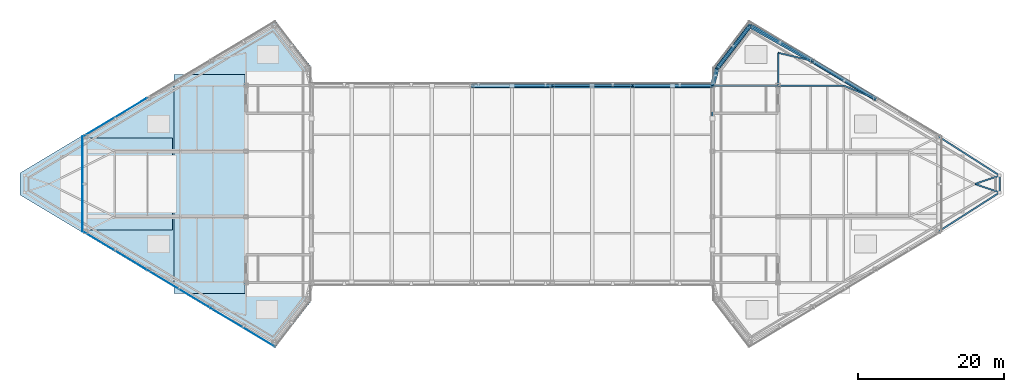
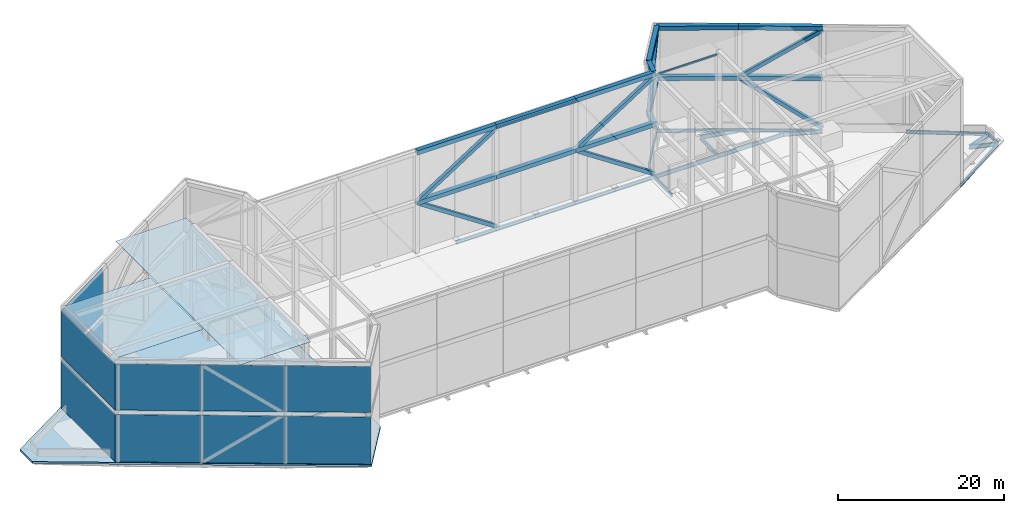
# One storey, part 6 of 16: 34 beams, 12 plates, 10 members, 1 slab.
"""IFC4 building model written with IfcOpenShell, lengths in metres."""

from ifc_helpers import new_model, si_unit, direction, frame, origin, origin_2d, place, context, subcontext, project, spatial, polyline, rectangle, hollow_rectangle, i_section, outline, extrude, source, transform, mapped, material, layer, layer_set, material_profile, profile_set, type_object, type_shapes, element, save


model = new_model("IFC4")

# Units and contexts
model_context = context("Model", 3, precision=1e-05, world=origin(), true_north=direction((0.0, 1.0)))
body_context = subcontext(model_context, "Body", "Model", "MODEL_VIEW")
ifc_project = project(units=[si_unit("LENGTHUNIT", "METRE"), si_unit("AREAUNIT", "SQUARE_METRE"), si_unit("VOLUMEUNIT", "CUBIC_METRE"), si_unit("PLANEANGLEUNIT", "RADIAN"), si_unit("MASSUNIT", "GRAM", prefix="KILO")], contexts=[model_context])

# Site, building, storey
site_placement = place(None, origin())
site = spatial("IfcSite", under=ifc_project, at=site_placement, CompositionType="ELEMENT")
building_placement = place(site_placement, origin())
building = spatial("IfcBuilding", under=site, at=building_placement, Name="Seokmaru Belvedere", CompositionType="ELEMENT")
storey_placement = place(building_placement, frame((0.0, 0.0, 279.0)))
storey = spatial("IfcBuildingStorey", under=building, at=storey_placement, Name="RF", CompositionType="ELEMENT", Elevation=279.0)

# Beams
ifc_material_1 = material(Name="Steel SM355 (355 MPa)", Category="steel")
ifc_material_profile_1 = material_profile(ifc_material_1, i_section(OverallWidth=0.199951171875, OverallDepth=0.5, WebThickness=0.010009765625, FlangeThickness=0.01611328125, at=origin_2d()), Name="H-500x200x10x16")
ifc_profile_set_1 = profile_set([ifc_material_profile_1], Name="Steel SM355 (355 MPa)")
beam_type_1 = type_object("IfcBeamType", Name="Perimeter Spandrel Beam H-500", PredefinedType="SPANDREL", material=ifc_profile_set_1)
shared_shape_1 = source(origin(), body_context, "Body", "SweptSolid", [
    extrude(i_section(OverallWidth=0.199951171875, OverallDepth=0.5, WebThickness=0.010009765625, FlangeThickness=0.01611328125, at=origin_2d()), origin(), (0.0, 0.0, 1.0), 4.5),
])
beam_1_placement = place(storey_placement, frame((27.5, 9.0, -0.530029296875), z_axis=(0.0, 1.0, 0.0), x_axis=(-1.0, 0.0, 0.0)))
element("IfcBeam", 1, at=beam_1_placement, inside=storey, type_object=beam_type_1, Name="RF E Portal Spine Spandrel 5", PredefinedType="SPANDREL", context=body_context, shape_type="MappedRepresentation", body=[
    mapped(shared_shape_1, transform((0.0, 0.0, 0.0), scale=1.0)),
])
ifc_material_profile_2 = material_profile(ifc_material_1, i_section(OverallWidth=0.199951171875, OverallDepth=0.60009765625, WebThickness=0.010986328125, FlangeThickness=0.01708984375, at=origin_2d()), Name="H-600x200x11x17")
ifc_profile_set_2 = profile_set([ifc_material_profile_2], Name="Steel SM355 (355 MPa)")
beam_type_2 = type_object("IfcBeamType", Name="Primary Floor Girder H-600", PredefinedType="BEAM", material=ifc_profile_set_2)
shared_shape_2 = source(origin(), body_context, "Body", "SweptSolid", [
    extrude(i_section(OverallWidth=0.199951171875, OverallDepth=0.60009765625, WebThickness=0.010986328125, FlangeThickness=0.01708984375, at=origin_2d()), origin(), (0.0, 0.0, 1.0), 9.0),
])
for number, where, z_axis, x_axis, name in (
    (2, (27.5, 13.5, -0.580078125), (1.0, 0.0, 0.0), (0.0, 1.0, 0.0), "RF E Core Tie Girder 4"),
    (3, (36.5, 13.5, -0.580078125), (1.0, 0.0, 0.0), (0.0, 1.0, 0.0), "RF E Wing Primary Girder 4"),
):
    element("IfcBeam", number, at=place(storey_placement, frame(where, z_axis=z_axis, x_axis=x_axis)), inside=storey, type_object=beam_type_2, Name=name, PredefinedType="BEAM", context=body_context, shape_type="MappedRepresentation", body=[
        mapped(shared_shape_2, transform((0.0, 0.0, 0.0), scale=1.0)),
    ])
shared_shape_3 = source(origin(), body_context, "Body", "SweptSolid", [
    extrude(i_section(OverallWidth=0.199951171875, OverallDepth=0.60009765625, WebThickness=0.010986328125, FlangeThickness=0.01708984375, at=origin_2d()), origin(), (0.0, 0.0, 1.0), 4.5),
])
beam_2_placement = place(storey_placement, frame((36.5, 13.5, -0.580078125), z_axis=(0.0, 1.0, 0.0), x_axis=(-1.0, 0.0, 0.0)))
element("IfcBeam", 4, at=beam_2_placement, inside=storey, type_object=beam_type_2, Name="RF E Core Shoulder Girder N", PredefinedType="BEAM", context=body_context, shape_type="MappedRepresentation", body=[
    mapped(shared_shape_3, transform((0.0, 0.0, 0.0), scale=1.0)),
])
shared_shape_4 = source(origin(), body_context, "Body", "SweptSolid", [
    extrude(i_section(OverallWidth=0.199951171875, OverallDepth=0.5, WebThickness=0.010009765625, FlangeThickness=0.01611328125, at=origin_2d()), origin(), (0.0, 0.0, 1.0), 9.842041015625),
])
beam_3_placement = place(storey_placement, frame((32.649658203125, 21.71044921875, -0.530029296875), z_axis=(0.871782151818, -0.489893743349, 0.0), x_axis=(0.489893743349, 0.871782151818, 0.0)))
element("IfcBeam", 5, at=beam_3_placement, inside=storey, type_object=beam_type_1, Name="RF E Faceted Flank Spandrel N-1", PredefinedType="SPANDREL", context=body_context, shape_type="MappedRepresentation", body=[
    mapped(shared_shape_4, transform((0.0, 0.0, 0.0), scale=1.0)),
])
shared_shape_5 = source(origin(), body_context, "Body", "SweptSolid", [
    extrude(i_section(OverallWidth=0.199951171875, OverallDepth=0.5, WebThickness=0.010009765625, FlangeThickness=0.01611328125, at=origin_2d()), origin(), (0.0, 0.0, 1.0), 10.087646484375),
])
beam_4_placement = place(storey_placement, frame((41.229736328125, 16.888916015625, -0.530029296875), z_axis=(0.857499332045, -0.514485078056, 0.0), x_axis=(0.514485078056, 0.857499332045, 0.0)))
element("IfcBeam", 6, at=beam_4_placement, inside=storey, type_object=beam_type_1, Name="RF E Faceted Flank Spandrel N-2", PredefinedType="SPANDREL", context=body_context, shape_type="MappedRepresentation", body=[
    mapped(shared_shape_5, transform((0.0, 0.0, 0.0), scale=1.0)),
])
shared_shape_6 = source(origin(), body_context, "Body", "SweptSolid", [
    extrude(i_section(OverallWidth=0.199951171875, OverallDepth=0.5, WebThickness=0.010009765625, FlangeThickness=0.01611328125, at=origin_2d()), origin(), (0.0, 0.0, 1.0), 9.932861328125),
])
for number, where, z_axis, x_axis, name in (
    (7, (58.530029296875, -6.5087890625, -0.530029296875), (0.842651960357, 0.538458609093, 0.0), (-0.538458609093, 0.842651960357, 0.0), "RF E Faceted Flank Spandrel S-4"),
    (8, (58.530029296875, 6.5087890625, -0.530029296875), (0.842651960357, -0.538458609093, 0.0), (0.538458609093, 0.842651960357, 0.0), "RF E Faceted Flank Spandrel N-4"),
):
    element("IfcBeam", number, at=place(storey_placement, frame(where, z_axis=z_axis, x_axis=x_axis)), inside=storey, type_object=beam_type_1, Name=name, PredefinedType="SPANDREL", context=body_context, shape_type="MappedRepresentation", body=[
        mapped(shared_shape_6, transform((0.0, 0.0, 0.0), scale=1.0)),
    ])
shared_shape_7 = source(origin(), body_context, "Body", "SweptSolid", [
    extrude(i_section(OverallWidth=0.199951171875, OverallDepth=0.5, WebThickness=0.010009765625, FlangeThickness=0.01611328125, at=origin_2d()), origin(), (0.0, 0.0, 1.0), 2.32080078125),
])
beam_5_placement = place(storey_placement, frame((66.89990234375, -1.160400390625, -0.530029296875), z_axis=(0.0, 1.0, 0.0), x_axis=(-1.0, 0.0, 0.0)))
element("IfcBeam", 9, at=beam_5_placement, inside=storey, type_object=beam_type_1, Name="RF E Faceted Apex Spandrel", PredefinedType="SPANDREL", context=body_context, shape_type="MappedRepresentation", body=[
    mapped(shared_shape_7, transform((0.0, 0.0, 0.0), scale=1.0)),
])
shared_shape_8 = source(origin(), body_context, "Body", "SweptSolid", [
    extrude(i_section(OverallWidth=0.199951171875, OverallDepth=0.5, WebThickness=0.010009765625, FlangeThickness=0.01611328125, at=origin_2d()), origin(), (0.0, 0.0, 1.0), 7.4619140625),
])
beam_6_placement = place(storey_placement, frame((32.649658203125, 21.71044921875, -0.530029296875), z_axis=(-0.609702854945, -0.792630070507, 0.0), x_axis=(0.792630070507, -0.609702854945, 0.0)))
element("IfcBeam", 10, at=beam_6_placement, inside=storey, type_object=beam_type_1, Name="RF E Shoulder Chamfer Spandrel N", PredefinedType="SPANDREL", context=body_context, shape_type="MappedRepresentation", body=[
    mapped(shared_shape_8, transform((0.0, 0.0, 0.0), scale=1.0)),
])
shared_shape_9 = source(origin(), body_context, "Body", "SweptSolid", [
    extrude(i_section(OverallWidth=0.199951171875, OverallDepth=0.5, WebThickness=0.010009765625, FlangeThickness=0.01611328125, at=origin_2d()), origin(), (0.0, 0.0, 1.0), 2.373046875),
])
type_shapes(beam_type_1, [shared_shape_1, shared_shape_4, shared_shape_5, shared_shape_6, shared_shape_7, shared_shape_8, shared_shape_9])
beam_7_placement = place(storey_placement, frame((28.10009765625, 15.7958984375, -0.530029296875), z_axis=(-0.252882558842, -0.967496982648, 0.0), x_axis=(0.967496982648, -0.252882558842, 0.0)))
element("IfcBeam", 11, at=beam_7_placement, inside=storey, type_object=beam_type_1, Name="RF E Shoulder Spine Spandrel N", PredefinedType="SPANDREL", context=body_context, shape_type="MappedRepresentation", body=[
    mapped(shared_shape_9, transform((0.0, 0.0, 0.0), scale=1.0)),
])
shared_shape_10 = source(origin(), body_context, "Body", "SweptSolid", [
    extrude(i_section(OverallWidth=0.199951171875, OverallDepth=0.60009765625, WebThickness=0.010986328125, FlangeThickness=0.01708984375, at=origin_2d()), origin(), (0.0, 0.0, 1.0), 4.8583984375),
])
beam_8_placement = place(storey_placement, frame((41.229736328125, 16.888916015625, -0.580078125), z_axis=(-0.97349948295, 0.228689214211, 0.0), x_axis=(-0.228689214211, -0.97349948295, 0.0)))
element("IfcBeam", 12, at=beam_8_placement, inside=storey, type_object=beam_type_2, Name="RF E Flank Radial Floor Girder N-1", PredefinedType="BEAM", context=body_context, shape_type="MappedRepresentation", body=[
    mapped(shared_shape_10, transform((0.0, 0.0, 0.0), scale=1.0)),
])
shared_shape_11 = source(origin(), body_context, "Body", "SweptSolid", [
    extrude(i_section(OverallWidth=0.199951171875, OverallDepth=0.60009765625, WebThickness=0.010986328125, FlangeThickness=0.01708984375, at=origin_2d()), origin(), (0.0, 0.0, 1.0), 4.73583984375),
])
beam_9_placement = place(storey_placement, frame((49.8798828125, 11.698974609375, -0.580078125), z_axis=(-0.924860562953, 0.380306375301, 0.0), x_axis=(-0.380306375301, -0.924860562953, 0.0)))
element("IfcBeam", 13, at=beam_9_placement, inside=storey, type_object=beam_type_2, Name="RF E Flank Radial Floor Girder N-2", PredefinedType="BEAM", context=body_context, shape_type="MappedRepresentation", body=[
    mapped(shared_shape_11, transform((0.0, 0.0, 0.0), scale=1.0)),
])
shared_shape_12 = source(origin(), body_context, "Body", "SweptSolid", [
    extrude(i_section(OverallWidth=0.199951171875, OverallDepth=0.60009765625, WebThickness=0.010986328125, FlangeThickness=0.01708984375, at=origin_2d()), origin(), (0.0, 0.0, 1.0), 3.592529296875),
])
type_shapes(beam_type_2, [shared_shape_2, shared_shape_3, shared_shape_10, shared_shape_11, shared_shape_12])
for number, where, z_axis, x_axis, name in (
    (14, (66.89990234375, -1.160400390625, -0.580078125), (-0.946395973048, 0.323008764893, 0.0), (-0.323008764893, -0.946395973048, 0.0), "RF E Apex Radial Floor Girder 1"),
    (15, (66.89990234375, 1.160400390625, -0.580078125), (-0.946395973048, -0.323008764893, 0.0), (0.323008764893, -0.946395973048, 0.0), "RF E Apex Radial Floor Girder 2"),
):
    element("IfcBeam", number, at=place(storey_placement, frame(where, z_axis=z_axis, x_axis=x_axis)), inside=storey, type_object=beam_type_2, Name=name, PredefinedType="BEAM", context=body_context, shape_type="MappedRepresentation", body=[
        mapped(shared_shape_12, transform((0.0, 0.0, 0.0), scale=1.0)),
    ])
ifc_material_profile_3 = material_profile(ifc_material_1, hollow_rectangle(XDim=0.25, YDim=0.5, WallThickness=0.013916015625, at=origin_2d()), Name="RHS-500x250x14")
ifc_profile_set_3 = profile_set([ifc_material_profile_3], Name="Steel SM355 (355 MPa)")
beam_type_3 = type_object("IfcBeamType", Name="Bridge Edge Spandrel RHS-500", PredefinedType="SPANDREL", material=ifc_profile_set_3)
shared_shape_13 = source(origin(), body_context, "Body", "SweptSolid", [
    extrude(hollow_rectangle(XDim=0.25, YDim=0.5, WallThickness=0.013916015625, at=origin_2d()), origin(), (0.0, 0.0, 1.0), 5.5),
])
type_shapes(beam_type_3, [shared_shape_13])
for number, where, z_axis, x_axis, name in (
    (16, (0.0, 13.5, -0.530029296875), (1.0, 0.0, 0.0), (0.0, 1.0, 0.0), "RF Sky-Gate Bridge Edge Girder N-06"),
    (17, (5.5, 13.5, -0.530029296875), (1.0, 0.0, 0.0), (0.0, 1.0, 0.0), "RF Sky-Gate Bridge Edge Girder N-07"),
    (18, (11.0, 13.5, -0.530029296875), (1.0, 0.0, 0.0), (0.0, 1.0, 0.0), "RF Sky-Gate Bridge Edge Girder N-08"),
    (19, (16.5, 13.5, -0.530029296875), (1.0, 0.0, 0.0), (0.0, 1.0, 0.0), "RF Sky-Gate Bridge Edge Girder N-09"),
    (20, (22.0, 13.5, -0.530029296875), (1.0, 0.0, 0.0), (0.0, 1.0, 0.0), "RF Sky-Gate Bridge Edge Girder N-10"),
):
    element("IfcBeam", number, at=place(storey_placement, frame(where, z_axis=z_axis, x_axis=x_axis)), inside=storey, type_object=beam_type_3, Name=name, PredefinedType="SPANDREL", context=body_context, shape_type="MappedRepresentation", body=[
        mapped(shared_shape_13, transform((0.0, 0.0, 0.0), scale=1.0)),
    ])
ifc_material_profile_4 = material_profile(ifc_material_1, hollow_rectangle(XDim=0.60009765625, YDim=0.60009765625, WallThickness=0.02490234375, at=origin_2d()), Name="HSS-600x600x25")
ifc_profile_set_4 = profile_set([ifc_material_profile_4], Name="Steel SM355 (355 MPa)")
beam_type_4 = type_object("IfcBeamType", Name="Crown Structural Ring Beam CROWN FRAME 600x600", PredefinedType="USERDEFINED", material=ifc_profile_set_4)
shared_shape_14 = source(origin(), body_context, "Body", "SweptSolid", [
    extrude(hollow_rectangle(XDim=0.60009765625, YDim=0.60009765625, WallThickness=0.02490234375, at=origin_2d()), origin(), (0.0, 0.0, 1.0), 11.0),
])
for number, where, z_axis, x_axis, name in (
    (21, (27.5, 13.5, 7.300048828125), (-1.0, 0.0, 0.0), (0.0, -1.0, 0.0), "RF Crown Chamfered Ring Beam CROWN FRAME T1-17"),
    (22, (16.5, 13.5, 7.300048828125), (-1.0, 0.0, 0.0), (0.0, -1.0, 0.0), "RF Crown Chamfered Ring Beam CROWN FRAME T1-18"),
    (23, (5.5, 13.5, 7.300048828125), (-1.0, 0.0, 0.0), (0.0, -1.0, 0.0), "RF Crown Chamfered Ring Beam CROWN FRAME T1-19"),
    (24, (27.5, 13.5, 14.699951171875), (-1.0, 0.0, 0.0), (0.0, -1.0, 0.0), "RF Crown Chamfered Ring Beam CROWN FRAME T2-17"),
    (25, (16.5, 13.5, 14.699951171875), (-1.0, 0.0, 0.0), (0.0, -1.0, 0.0), "RF Crown Chamfered Ring Beam CROWN FRAME T2-18"),
    (26, (5.5, 13.5, 14.699951171875), (-1.0, 0.0, 0.0), (0.0, -1.0, 0.0), "RF Crown Chamfered Ring Beam CROWN FRAME T2-19"),
):
    element("IfcBeam", number, at=place(storey_placement, frame(where, z_axis=z_axis, x_axis=x_axis)), inside=storey, type_object=beam_type_4, Name=name, ObjectType="CROWN FRAME", PredefinedType="USERDEFINED", context=body_context, shape_type="MappedRepresentation", body=[
        mapped(shared_shape_14, transform((0.0, 0.0, 0.0), scale=1.0)),
    ])
shared_shape_15 = source(origin(), body_context, "Body", "SweptSolid", [
    extrude(hollow_rectangle(XDim=0.60009765625, YDim=0.60009765625, WallThickness=0.02490234375, at=origin_2d()), origin(), (0.0, 0.0, 1.0), 2.373046875),
])
for number, where, z_axis, x_axis, name in (
    (27, (28.10009765625, 15.7958984375, 7.300048828125), (-0.252882558842, -0.967496982648, 0.0), (0.967496982648, -0.252882558842, 0.0), "RF Crown Chamfered Ring Beam CROWN FRAME T1-16"),
    (28, (28.10009765625, 15.7958984375, 14.699951171875), (-0.252882558842, -0.967496982648, 0.0), (0.967496982648, -0.252882558842, 0.0), "RF Crown Chamfered Ring Beam CROWN FRAME T2-16"),
):
    element("IfcBeam", number, at=place(storey_placement, frame(where, z_axis=z_axis, x_axis=x_axis)), inside=storey, type_object=beam_type_4, Name=name, ObjectType="CROWN FRAME", PredefinedType="USERDEFINED", context=body_context, shape_type="MappedRepresentation", body=[
        mapped(shared_shape_15, transform((0.0, 0.0, 0.0), scale=1.0)),
    ])
shared_shape_16 = source(origin(), body_context, "Body", "SweptSolid", [
    extrude(hollow_rectangle(XDim=0.60009765625, YDim=0.60009765625, WallThickness=0.02490234375, at=origin_2d()), origin(), (0.0, 0.0, 1.0), 7.4619140625),
])
for number, where, z_axis, x_axis, name in (
    (29, (32.649658203125, 21.71044921875, 7.300048828125), (-0.609702854945, -0.792630070507, 0.0), (0.792630070507, -0.609702854945, 0.0), "RF Crown Chamfered Ring Beam CROWN FRAME T1-15"),
    (30, (32.649658203125, 21.71044921875, 14.699951171875), (-0.609702854945, -0.792630070507, 0.0), (0.792630070507, -0.609702854945, 0.0), "RF Crown Chamfered Ring Beam CROWN FRAME T2-15"),
):
    element("IfcBeam", number, at=place(storey_placement, frame(where, z_axis=z_axis, x_axis=x_axis)), inside=storey, type_object=beam_type_4, Name=name, ObjectType="CROWN FRAME", PredefinedType="USERDEFINED", context=body_context, shape_type="MappedRepresentation", body=[
        mapped(shared_shape_16, transform((0.0, 0.0, 0.0), scale=1.0)),
    ])
shared_shape_17 = source(origin(), body_context, "Body", "SweptSolid", [
    extrude(hollow_rectangle(XDim=0.60009765625, YDim=0.60009765625, WallThickness=0.02490234375, at=origin_2d()), origin(), (0.0, 0.0, 1.0), 9.842041015625),
])
for number, where, z_axis, x_axis, name in (
    (31, (41.229736328125, 16.888916015625, 7.300048828125), (-0.871782151818, 0.489893743349, 0.0), (-0.489893743349, -0.871782151818, 0.0), "RF Crown Chamfered Ring Beam CROWN FRAME T1-14"),
    (32, (41.229736328125, 16.888916015625, 14.699951171875), (-0.871782151818, 0.489893743349, 0.0), (-0.489893743349, -0.871782151818, 0.0), "RF Crown Chamfered Ring Beam CROWN FRAME T2-14"),
):
    element("IfcBeam", number, at=place(storey_placement, frame(where, z_axis=z_axis, x_axis=x_axis)), inside=storey, type_object=beam_type_4, Name=name, ObjectType="CROWN FRAME", PredefinedType="USERDEFINED", context=body_context, shape_type="MappedRepresentation", body=[
        mapped(shared_shape_17, transform((0.0, 0.0, 0.0), scale=1.0)),
    ])
shared_shape_18 = source(origin(), body_context, "Body", "SweptSolid", [
    extrude(hollow_rectangle(XDim=0.60009765625, YDim=0.60009765625, WallThickness=0.02490234375, at=origin_2d()), origin(), (0.0, 0.0, 1.0), 10.087646484375),
])
type_shapes(beam_type_4, [shared_shape_14, shared_shape_15, shared_shape_16, shared_shape_17, shared_shape_18])
for number, where, z_axis, x_axis, name in (
    (33, (49.8798828125, 11.698974609375, 7.300048828125), (-0.857499332045, 0.514485078056, 0.0), (-0.514485078056, -0.857499332045, 0.0), "RF Crown Chamfered Ring Beam CROWN FRAME T1-13"),
    (34, (49.8798828125, 11.698974609375, 14.699951171875), (-0.857499332045, 0.514485078056, 0.0), (-0.514485078056, -0.857499332045, 0.0), "RF Crown Chamfered Ring Beam CROWN FRAME T2-13"),
):
    element("IfcBeam", number, at=place(storey_placement, frame(where, z_axis=z_axis, x_axis=x_axis)), inside=storey, type_object=beam_type_4, Name=name, ObjectType="CROWN FRAME", PredefinedType="USERDEFINED", context=body_context, shape_type="MappedRepresentation", body=[
        mapped(shared_shape_18, transform((0.0, 0.0, 0.0), scale=1.0)),
    ])

# Members
ifc_material_profile_5 = material_profile(ifc_material_1, hollow_rectangle(XDim=0.5, YDim=0.5, WallThickness=0.02001953125, at=origin_2d()), Name="HSS-500x500x20")
ifc_profile_set_5 = profile_set([ifc_material_profile_5], Name="Steel SM355 (355 MPa)")
member_type_1 = type_object("IfcMemberType", Name="Crown Diagonal Wind Brace CROWN FRAME 500x500", PredefinedType="USERDEFINED", material=ifc_profile_set_5)
shared_shape_19 = source(origin(), body_context, "Body", "SweptSolid", [
    extrude(hollow_rectangle(XDim=0.5, YDim=0.5, WallThickness=0.02001953125, at=origin_2d()), origin(), (0.0, 0.0, 1.0), 13.201904296875),
])
for number, where, z_axis, x_axis, name in (
    (35, (27.5, 13.5, 0.0), (-0.83321208815, 0.0, 0.55295353888), (0.0, -1.0, 0.0), "RF Crown Diagonal Wind Brace CROWN FRAME L-09"),
    (36, (5.5, 13.5, 0.0), (-0.83321208815, 0.0, 0.55295353888), (0.0, -1.0, 0.0), "RF Crown Diagonal Wind Brace CROWN FRAME L-10"),
):
    element("IfcMember", number, at=place(storey_placement, frame(where, z_axis=z_axis, x_axis=x_axis)), inside=storey, type_object=member_type_1, Name=name, ObjectType="CROWN FRAME", PredefinedType="USERDEFINED", context=body_context, shape_type="MappedRepresentation", body=[
        mapped(shared_shape_19, transform((0.0, 0.0, 0.0), scale=1.0)),
    ])
shared_shape_20 = source(origin(), body_context, "Body", "SweptSolid", [
    extrude(hollow_rectangle(XDim=0.5, YDim=0.5, WallThickness=0.02001953125, at=origin_2d()), origin(), (0.0, 0.0, 1.0), 13.0654296875),
])
for number, where, z_axis, x_axis, name in (
    (37, (16.5, 13.5, 7.300048828125), (0.841922020352, 0.0, 0.539599213905), (0.0, 1.0, 0.0), "RF Crown Diagonal Wind Brace CROWN FRAME U-09"),
    (38, (-5.5, 13.5, 7.300048828125), (0.841922020352, 0.0, 0.539599213905), (0.0, 1.0, 0.0), "RF Crown Diagonal Wind Brace CROWN FRAME U-10"),
):
    element("IfcMember", number, at=place(storey_placement, frame(where, z_axis=z_axis, x_axis=x_axis)), inside=storey, type_object=member_type_1, Name=name, ObjectType="CROWN FRAME", PredefinedType="USERDEFINED", context=body_context, shape_type="MappedRepresentation", body=[
        mapped(shared_shape_20, transform((0.0, 0.0, 0.0), scale=1.0)),
    ])
shared_shape_21 = source(origin(), body_context, "Body", "SweptSolid", [
    extrude(hollow_rectangle(XDim=0.5, YDim=0.5, WallThickness=0.02001953125, at=origin_2d()), origin(), (0.0, 0.0, 1.0), 10.43896484375),
])
member_1_placement = place(storey_placement, frame((32.649658203125, 21.71044921875, 0.0), z_axis=(-0.435826598643, -0.566586272, 0.699310497774), x_axis=(0.792630070507, -0.609702854945, 0.0)))
element("IfcMember", 39, at=member_1_placement, inside=storey, type_object=member_type_1, Name="RF Crown Diagonal Wind Brace CROWN FRAME L-08", ObjectType="CROWN FRAME", PredefinedType="USERDEFINED", context=body_context, shape_type="MappedRepresentation", body=[
    mapped(shared_shape_21, transform((0.0, 0.0, 0.0), scale=1.0)),
])
shared_shape_22 = source(origin(), body_context, "Body", "SweptSolid", [
    extrude(hollow_rectangle(XDim=0.5, YDim=0.5, WallThickness=0.02001953125, at=origin_2d()), origin(), (0.0, 0.0, 1.0), 10.265625),
])
member_2_placement = place(storey_placement, frame((28.10009765625, 15.7958984375, 7.300048828125), z_axis=(0.443182836434, 0.576149578506, 0.686760974924), x_axis=(-0.792630070507, 0.609702854945, 0.0)))
element("IfcMember", 40, at=member_2_placement, inside=storey, type_object=member_type_1, Name="RF Crown Diagonal Wind Brace CROWN FRAME U-08", ObjectType="CROWN FRAME", PredefinedType="USERDEFINED", context=body_context, shape_type="MappedRepresentation", body=[
    mapped(shared_shape_22, transform((0.0, 0.0, 0.0), scale=1.0)),
])
shared_shape_23 = source(origin(), body_context, "Body", "SweptSolid", [
    extrude(hollow_rectangle(XDim=0.5, YDim=0.5, WallThickness=0.02001953125, at=origin_2d()), origin(), (0.0, 0.0, 1.0), 12.451904296875),
])
member_3_placement = place(storey_placement, frame((49.8798828125, 11.698974609375, 0.0), z_axis=(-0.694681673216, 0.416797239966, 0.586257139534), x_axis=(-0.514485078056, -0.857499332045, 0.0)))
element("IfcMember", 41, at=member_3_placement, inside=storey, type_object=member_type_1, Name="RF Crown Diagonal Wind Brace CROWN FRAME L-07", ObjectType="CROWN FRAME", PredefinedType="USERDEFINED", context=body_context, shape_type="MappedRepresentation", body=[
    mapped(shared_shape_23, transform((0.0, 0.0, 0.0), scale=1.0)),
])
shared_shape_24 = source(origin(), body_context, "Body", "SweptSolid", [
    extrude(hollow_rectangle(XDim=0.5, YDim=0.5, WallThickness=0.02001953125, at=origin_2d()), origin(), (0.0, 0.0, 1.0), 12.30712890625),
])
type_shapes(member_type_1, [shared_shape_19, shared_shape_20, shared_shape_21, shared_shape_22, shared_shape_23, shared_shape_24])
member_4_placement = place(storey_placement, frame((41.229736328125, 16.888916015625, 7.300048828125), z_axis=(0.702860537679, -0.42170442014, 0.572845918731), x_axis=(0.514485078056, 0.857499332045, 0.0)))
element("IfcMember", 42, at=member_4_placement, inside=storey, type_object=member_type_1, Name="RF Crown Diagonal Wind Brace CROWN FRAME U-07", ObjectType="CROWN FRAME", PredefinedType="USERDEFINED", context=body_context, shape_type="MappedRepresentation", body=[
    mapped(shared_shape_24, transform((0.0, 0.0, 0.0), scale=1.0)),
])
ifc_material_profile_6 = material_profile(ifc_material_1, hollow_rectangle(XDim=0.199951171875, YDim=0.199951171875, WallThickness=0.008056640625, at=origin_2d()), Name="HSS-200x200x8")
ifc_profile_set_6 = profile_set([ifc_material_profile_6], Name="Steel SM355 (355 MPa)")
member_type_2 = type_object("IfcMemberType", Name="Crown Secondary Screen Tie HSS-200", PredefinedType="CHORD", material=ifc_profile_set_6)
shared_shape_25 = source(origin(), body_context, "Body", "SweptSolid", [
    extrude(hollow_rectangle(XDim=0.199951171875, YDim=0.199951171875, WallThickness=0.008056640625, at=origin_2d()), origin(), (0.0, 0.0, 1.0), 9.0),
])
member_5_placement = place(storey_placement, frame((27.5, 13.5, 14.39990234375), z_axis=(1.0, 0.0, 0.0), x_axis=(0.0, 1.0, 0.0)))
element("IfcMember", 43, at=member_5_placement, inside=storey, type_object=member_type_2, Name="RF Crown Secondary Screen Tie 4", PredefinedType="CHORD", context=body_context, shape_type="MappedRepresentation", body=[
    mapped(shared_shape_25, transform((0.0, 0.0, 0.0), scale=1.0)),
])
shared_shape_26 = source(origin(), body_context, "Body", "SweptSolid", [
    extrude(hollow_rectangle(XDim=0.199951171875, YDim=0.199951171875, WallThickness=0.008056640625, at=origin_2d()), origin(), (0.0, 0.0, 1.0), 11.0),
])
type_shapes(member_type_2, [shared_shape_25, shared_shape_26])
member_6_placement = place(storey_placement, frame((5.5, 13.5, 14.39990234375), z_axis=(1.0, 0.0, 0.0), x_axis=(0.0, 1.0, 0.0)))
element("IfcMember", 44, at=member_6_placement, inside=storey, type_object=member_type_2, Name="RF Crown Secondary Screen Tie 5", PredefinedType="CHORD", context=body_context, shape_type="MappedRepresentation", body=[
    mapped(shared_shape_26, transform((0.0, 0.0, 0.0), scale=1.0)),
])

# Slab
ifc_material_2 = material(Name="Concrete C50 (50 MPa)", Category="concrete")
ifc_layer_1 = layer(ifc_material_2, 0.280029296875)
ifc_layer_set_1 = layer_set([ifc_layer_1], Name="Concrete C50 (50 MPa)")
slab_type = type_object("IfcSlabType", Name="Main Structural Roof Deck Slab 280", PredefinedType="ROOF", material=ifc_layer_set_1)
slab_placement = place(storey_placement, frame((0.0, 0.0, -0.280029296875)))
element("IfcSlab", 45, at=slab_placement, inside=storey, type_object=slab_type, Name="RF West Tower Main Roof Slab", PredefinedType="ROOF", context=body_context, shape_type="SweptSolid", body=[
    extrude(outline(polyline([(-27.5, -16.0), (-27.5, 16.0), (-32.5, 22.5), (-67.5, 1.5), (-67.5, -1.5), (-32.5, -22.5), (-27.5, -16.0)]), holes=[polyline([(-34.60009765625, -13.25), (-27.75, -13.25), (-27.75, -9.949951171875), (-34.60009765625, -9.949951171875), (-34.60009765625, -13.25)]), polyline([(-34.60009765625, 9.949951171875), (-27.75, 9.949951171875), (-27.75, 13.25), (-34.60009765625, 13.25), (-34.60009765625, 9.949951171875)])]), origin(), (0.0, 0.0, 1.0), 0.280029296875),
])

# Plates
ifc_material_3 = material(Name="Perforated Anodised Bronze Sheet")
ifc_layer_2 = layer(ifc_material_3, 0.044921875)
ifc_layer_set_2 = layer_set([ifc_layer_2], Name="Perforated Anodised Bronze Sheet")
plate_type_1 = type_object("IfcPlateType", Name="Perforated Bronze Anodised Wide Screen Sheet 45", PredefinedType="SHEET", material=ifc_layer_set_2)
shared_shape_27 = source(origin(), body_context, "Body", "SweptSolid", [
    extrude(rectangle(XDim=10.212890625, YDim=0.044921875, at=origin_2d()), origin(), (0.0, 0.0, 1.0), 6.9599609375),
])
for number, where, z_axis, x_axis, name in (
    (46, (-54.51416015625, 9.128173828125, 0.0), (0.0, 0.0, 1.0), (-0.857492535386, -0.514496405972, 0.0), "RF Perforated Bronze Plant Screen Lower 28"),
    (47, (-54.51416015625, -9.128173828125, 0.0), (0.0, 0.0, 1.0), (0.857492535386, -0.514496405972, 0.0), "RF Perforated Bronze Plant Screen Lower 30"),
    (48, (-45.722412109375, -14.4033203125, 0.0), (0.0, 0.0, 1.0), (0.857492535386, -0.514496405972, 0.0), "RF Perforated Bronze Plant Screen Lower 31"),
    (49, (-36.930908203125, -19.67822265625, 0.0), (0.0, 0.0, 1.0), (0.857492535386, -0.514496405972, 0.0), "RF Perforated Bronze Plant Screen Lower 32"),
):
    element("IfcPlate", number, at=place(storey_placement, frame(where, z_axis=z_axis, x_axis=x_axis)), inside=storey, type_object=plate_type_1, Name=name, PredefinedType="SHEET", context=body_context, shape_type="MappedRepresentation", body=[
        mapped(shared_shape_27, transform((0.0, 0.0, 0.0), scale=1.0)),
    ])
ifc_layer_3 = layer(ifc_material_3, 0.04296875)
ifc_layer_set_3 = layer_set([ifc_layer_3], Name="Perforated Anodised Bronze Sheet")
plate_type_2 = type_object("IfcPlateType", Name="Perforated Bronze Upper Wide Screen Sheet 43", PredefinedType="SHEET", material=ifc_layer_set_3)
shared_shape_28 = source(origin(), body_context, "Body", "SweptSolid", [
    extrude(rectangle(XDim=10.212890625, YDim=0.04296875, at=origin_2d()), origin(), (0.0, 0.0, 1.0), 6.77001953125),
])
for number, where, z_axis, x_axis, name in (
    (50, (-54.51416015625, 9.128173828125, 7.610107421875), (0.0, 0.0, 1.0), (-0.857492535386, -0.514496405972, 0.0), "RF Perforated Bronze Plant Screen Upper 28"),
    (51, (-54.51416015625, -9.128173828125, 7.610107421875), (0.0, 0.0, 1.0), (0.857492535386, -0.514496405972, 0.0), "RF Perforated Bronze Plant Screen Upper 30"),
    (52, (-45.722412109375, -14.4033203125, 7.610107421875), (0.0, 0.0, 1.0), (0.857492535386, -0.514496405972, 0.0), "RF Perforated Bronze Plant Screen Upper 31"),
    (53, (-36.930908203125, -19.67822265625, 7.610107421875), (0.0, 0.0, 1.0), (0.857492535386, -0.514496405972, 0.0), "RF Perforated Bronze Plant Screen Upper 32"),
):
    element("IfcPlate", number, at=place(storey_placement, frame(where, z_axis=z_axis, x_axis=x_axis)), inside=storey, type_object=plate_type_2, Name=name, PredefinedType="SHEET", context=body_context, shape_type="MappedRepresentation", body=[
        mapped(shared_shape_28, transform((0.0, 0.0, 0.0), scale=1.0)),
    ])
shared_shape_29 = source(origin(), body_context, "Body", "SweptSolid", [
    extrude(rectangle(XDim=12.94140625, YDim=0.044921875, at=origin_2d()), origin(), (0.0, 0.0, 1.0), 6.9599609375),
])
plate_1_placement = place(storey_placement, frame((-58.909912109375, 0.0, 0.0), z_axis=(0.0, 0.0, 1.0), x_axis=(0.0, -1.0, 0.0)))
element("IfcPlate", 54, at=plate_1_placement, inside=storey, type_object=plate_type_1, Name="RF Perforated Bronze Plant Screen Lower 29", PredefinedType="SHEET", context=body_context, shape_type="MappedRepresentation", body=[
    mapped(shared_shape_29, transform((0.0, 0.0, 0.0), scale=1.0)),
])
shared_shape_30 = source(origin(), body_context, "Body", "SweptSolid", [
    extrude(rectangle(XDim=12.94140625, YDim=0.04296875, at=origin_2d()), origin(), (0.0, 0.0, 1.0), 6.77001953125),
])
type_shapes(plate_type_2, [shared_shape_28, shared_shape_30])
plate_2_placement = place(storey_placement, frame((-58.909912109375, 0.0, 7.610107421875), z_axis=(0.0, 0.0, 1.0), x_axis=(0.0, -1.0, 0.0)))
element("IfcPlate", 55, at=plate_2_placement, inside=storey, type_object=plate_type_2, Name="RF Perforated Bronze Plant Screen Upper 29", PredefinedType="SHEET", context=body_context, shape_type="MappedRepresentation", body=[
    mapped(shared_shape_30, transform((0.0, 0.0, 0.0), scale=1.0)),
])
shared_shape_31 = source(origin(), body_context, "Body", "SweptSolid", [
    extrude(rectangle(XDim=9.800048828125, YDim=30.0, at=origin_2d()), origin(), (0.0, 0.0, 1.0), 0.044921875),
])
plate_3_placement = place(storey_placement, frame((-41.5, 0.0, 14.947509765625), z_axis=(0.0, 0.0, 1.0), x_axis=(1.0, 0.0, 0.0)))
element("IfcPlate", 56, at=plate_3_placement, inside=storey, type_object=plate_type_1, Name="RF Perforated Bronze Plant-Screen Top Cap LG_W1", PredefinedType="SHEET", context=body_context, shape_type="MappedRepresentation", body=[
    mapped(shared_shape_31, transform((0.0, 0.0, 0.0), scale=1.0)),
])
shared_shape_32 = source(origin(), body_context, "Body", "SweptSolid", [
    extrude(rectangle(XDim=11.800048828125, YDim=12.60009765625, at=origin_2d()), origin(), (0.0, 0.0, 1.0), 0.044921875),
])
type_shapes(plate_type_1, [shared_shape_27, shared_shape_29, shared_shape_31, shared_shape_32])
plate_4_placement = place(storey_placement, frame((-52.5, 0.0, 14.947509765625), z_axis=(0.0, 0.0, 1.0), x_axis=(1.0, 0.0, 0.0)))
element("IfcPlate", 57, at=plate_4_placement, inside=storey, type_object=plate_type_1, Name="RF Perforated Bronze Plant-Screen Top Cap LG_W2", PredefinedType="SHEET", context=body_context, shape_type="MappedRepresentation", body=[
    mapped(shared_shape_32, transform((0.0, 0.0, 0.0), scale=1.0)),
])

save(model, "model.ifc")
